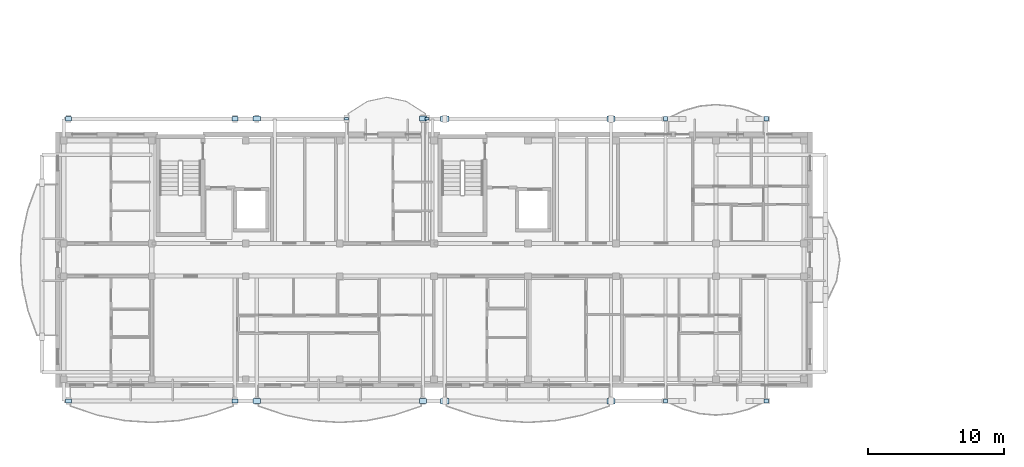
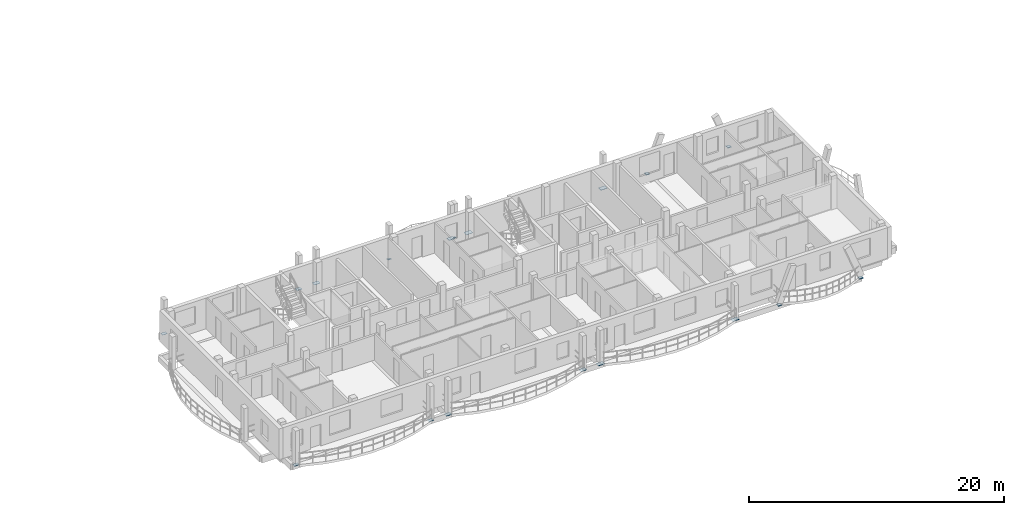
# One storey, part 10 of 42: 18 plates.
"""IFC4 building model written with IfcOpenShell, lengths in metres."""

from ifc_helpers import new_model, si_unit, direction, frame, origin, origin_2d, place, context, subcontext, project, spatial, rectangle, extrude, material, layer, layer_set, type_object, element, save


model = new_model("IFC4")

# Units and contexts
model_context = context("Model", 3, precision=1e-05, world=origin(), true_north=direction((0.0, 1.0)))
body_context = subcontext(model_context, "Body", "Model", "MODEL_VIEW")
ifc_project = project(units=[si_unit("LENGTHUNIT", "METRE"), si_unit("AREAUNIT", "SQUARE_METRE"), si_unit("VOLUMEUNIT", "CUBIC_METRE"), si_unit("PLANEANGLEUNIT", "RADIAN"), si_unit("MASSUNIT", "GRAM", prefix="KILO")], contexts=[model_context])

# Site, building, storey
site_placement = place(None, origin())
site = spatial("IfcSite", under=ifc_project, at=site_placement, CompositionType="ELEMENT")
building_placement = place(site_placement, origin())
building = spatial("IfcBuilding", under=site, at=building_placement, Name="Zavelmont Quarter", CompositionType="ELEMENT")
storey_placement = place(building_placement, frame((0.0, 0.0, 24.0)))
storey = spatial("IfcBuildingStorey", under=building, at=storey_placement, Name="L07", CompositionType="ELEMENT", Elevation=24.0)

# Plates
ifc_material = material(Name="Steel S355", Category="steel")
ifc_layer_1 = layer(ifc_material, 0.02001953125)
ifc_layer_set_1 = layer_set([ifc_layer_1], Name="Steel S355")
plate_type_1 = type_object("IfcPlateType", Name="NP01", PredefinedType="SHEET", material=ifc_layer_set_1)
for number, where, z_axis, x_axis, name in (
    (1, (21.199951171875, 19.56201171875, -0.2099609375), (0.0, 0.0, 1.0), (1.0, 0.0, 0.0), "L07 steel connection plate NP01 at 4/D"),
    (2, (27.10009765625, 19.56201171875, -0.2099609375), (0.0, 0.0, 1.0), (1.0, 0.0, 0.0), "L07 steel connection plate NP01 at 5/D"),
):
    element("IfcPlate", number, at=place(storey_placement, frame(where, z_axis=z_axis, x_axis=x_axis)), inside=storey, type_object=plate_type_1, Name=name, PredefinedType="SHEET", context=body_context, shape_type="SweptSolid", body=[
        extrude(rectangle(XDim=0.280029296875, YDim=0.179931640625, at=origin_2d()), origin(), (0.0, 0.0, 1.0), 0.02001953125),
    ])
ifc_layer_2 = layer(ifc_material, 0.02490234375)
ifc_layer_set_2 = layer_set([ifc_layer_2], Name="Steel S355")
plate_type_2 = type_object("IfcPlateType", Name="NP03", PredefinedType="SHEET", material=ifc_layer_set_2)
for number, where, z_axis, x_axis, name in (
    (3, (0.800048828125, -1.162109375, -0.21240234375), (0.0, 0.0, 1.0), (1.0, 0.0, 0.0), "L07 steel connection plate NP03 at 1/A"),
    (4, (13.0, -1.162109375, -0.21240234375), (0.0, 0.0, 1.0), (1.0, 0.0, 0.0), "L07 steel connection plate NP03 at 3/A"),
    (5, (0.800048828125, 19.56201171875, -0.21240234375), (0.0, 0.0, 1.0), (1.0, 0.0, 0.0), "L07 steel connection plate NP03 at 1/D"),
    (6, (13.0, 19.56201171875, -0.21240234375), (0.0, 0.0, 1.0), (1.0, 0.0, 0.0), "L07 steel connection plate NP03 at 3/D"),
):
    element("IfcPlate", number, at=place(storey_placement, frame(where, z_axis=z_axis, x_axis=x_axis)), inside=storey, type_object=plate_type_2, Name=name, PredefinedType="SHEET", context=body_context, shape_type="SweptSolid", body=[
        extrude(rectangle(XDim=0.43994140625, YDim=0.320068359375, at=origin_2d()), origin(), (0.0, 0.0, 1.0), 0.02490234375),
    ])
ifc_layer_3 = layer(ifc_material, 0.028076171875)
ifc_layer_set_3 = layer_set([ifc_layer_3], Name="Steel S355")
plate_type_3 = type_object("IfcPlateType", Name="NP04", PredefinedType="SHEET", material=ifc_layer_set_3)
for number, where, z_axis, x_axis, name in (
    (7, (14.60009765625, -1.162109375, -0.2138671875), (0.0, 0.0, 1.0), (1.0, 0.0, 0.0), "L07 steel connection plate NP04 at 3/A"),
    (8, (26.800048828125, -1.162109375, -0.2138671875), (0.0, 0.0, 1.0), (1.0, 0.0, 0.0), "L07 steel connection plate NP04 at 5/A"),
    (9, (14.60009765625, 19.56201171875, -0.2138671875), (0.0, 0.0, 1.0), (1.0, 0.0, 0.0), "L07 steel connection plate NP04 at 3/D"),
    (10, (26.800048828125, 19.56201171875, -0.2138671875), (0.0, 0.0, 1.0), (1.0, 0.0, 0.0), "L07 steel connection plate NP04 at 5/D"),
):
    element("IfcPlate", number, at=place(storey_placement, frame(where, z_axis=z_axis, x_axis=x_axis)), inside=storey, type_object=plate_type_3, Name=name, PredefinedType="SHEET", context=body_context, shape_type="SweptSolid", body=[
        extrude(rectangle(XDim=0.52001953125, YDim=0.360107421875, at=origin_2d()), origin(), (0.0, 0.0, 1.0), 0.028076171875),
    ])
ifc_layer_4 = layer(ifc_material, 0.030029296875)
ifc_layer_set_4 = layer_set([ifc_layer_4], Name="Steel S355")
plate_type_4 = type_object("IfcPlateType", Name="NP05", PredefinedType="SHEET", material=ifc_layer_set_4)
for number, where, z_axis, x_axis, name in (
    (11, (28.39990234375, -1.162109375, -0.21484375), (0.0, 0.0, 1.0), (1.0, 0.0, 0.0), "L07 steel connection plate NP05 at 5/A"),
    (12, (40.60009765625, -1.162109375, -0.21484375), (0.0, 0.0, 1.0), (1.0, 0.0, 0.0), "L07 steel connection plate NP05 at 7/A"),
    (13, (28.39990234375, 19.56201171875, -0.21484375), (0.0, 0.0, 1.0), (1.0, 0.0, 0.0), "L07 steel connection plate NP05 at 5/D"),
    (14, (40.60009765625, 19.56201171875, -0.21484375), (0.0, 0.0, 1.0), (1.0, 0.0, 0.0), "L07 steel connection plate NP05 at 7/D"),
):
    element("IfcPlate", number, at=place(storey_placement, frame(where, z_axis=z_axis, x_axis=x_axis)), inside=storey, type_object=plate_type_4, Name=name, PredefinedType="SHEET", context=body_context, shape_type="SweptSolid", body=[
        extrude(rectangle(XDim=0.60009765625, YDim=0.39990234375, at=origin_2d()), origin(), (0.0, 0.0, 1.0), 0.030029296875),
    ])
ifc_layer_5 = layer(ifc_material, 0.02197265625)
ifc_layer_set_5 = layer_set([ifc_layer_5], Name="Steel S355")
plate_type_5 = type_object("IfcPlateType", Name="NP06", PredefinedType="SHEET", material=ifc_layer_set_5)
for number, where, z_axis, x_axis, name in (
    (15, (44.5986328125, -1.162109375, -0.2109375), (0.0, 0.0, 1.0), (1.0, 0.0, 0.0), "L07 steel connection plate NP06 at 7/A"),
    (16, (52.001220703125, -1.162109375, -0.2109375), (0.0, 0.0, 1.0), (1.0, 0.0, 0.0), "L07 steel connection plate NP06 at 9/A"),
    (17, (44.5986328125, 19.56201171875, -0.2109375), (0.0, 0.0, 1.0), (1.0, 0.0, 0.0), "L07 steel connection plate NP06 at 7/D"),
    (18, (52.001220703125, 19.56201171875, -0.2109375), (0.0, 0.0, 1.0), (1.0, 0.0, 0.0), "L07 steel connection plate NP06 at 9/D"),
):
    element("IfcPlate", number, at=place(storey_placement, frame(where, z_axis=z_axis, x_axis=x_axis)), inside=storey, type_object=plate_type_5, Name=name, PredefinedType="SHEET", context=body_context, shape_type="SweptSolid", body=[
        extrude(rectangle(XDim=0.320068359375, YDim=0.320068359375, at=origin_2d()), origin(), (0.0, 0.0, 1.0), 0.02197265625),
    ])

save(model, "model.ifc")
